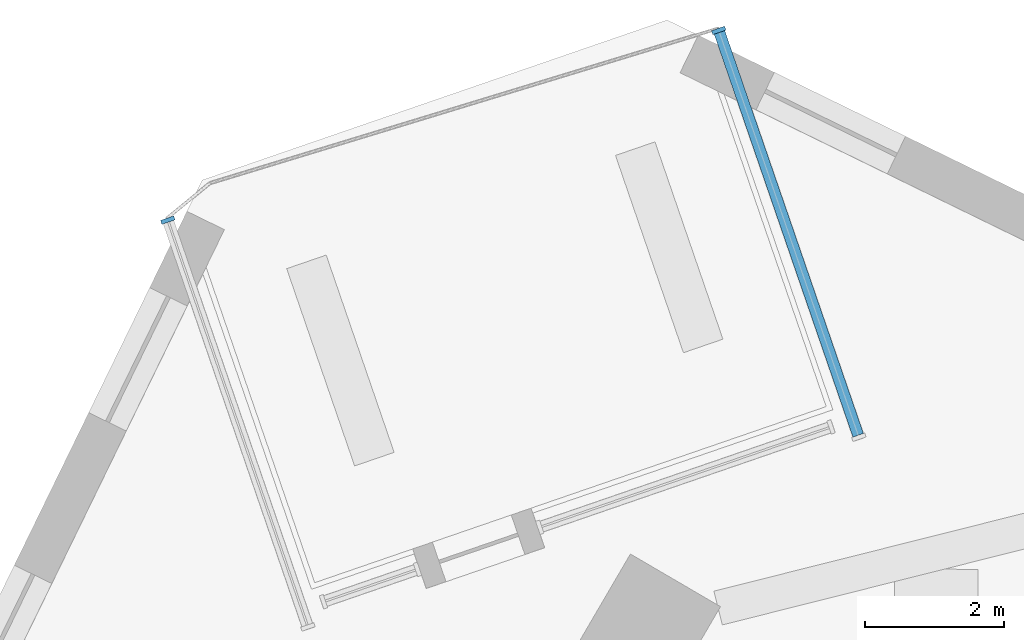
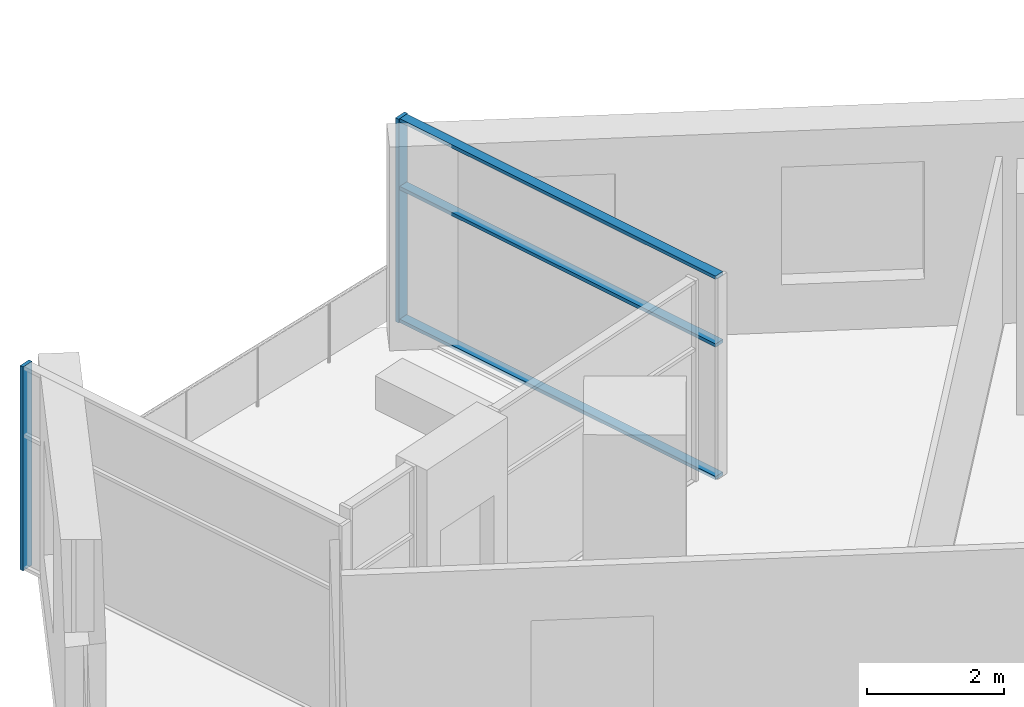
# One storey, part 4 of 13: 5 members, 2 elements without a shape of their own.
"""IFC4 building model written with IfcOpenShell, lengths in metres."""

from ifc_helpers import new_model, si_unit, direction, frame, origin, origin_2d, place, context, subcontext, project, spatial, rectangle, extrude, material, material_profile, profile_set, type_object, element, aggregate, save


model = new_model("IFC4")

# Units and contexts
model_context = context("Model", 3, precision=1e-05, world=origin(), true_north=direction((0.0, 1.0)))
body_context = subcontext(model_context, "Body", "Model", "MODEL_VIEW")
ifc_project = project(units=[si_unit("LENGTHUNIT", "METRE"), si_unit("AREAUNIT", "SQUARE_METRE"), si_unit("VOLUMEUNIT", "CUBIC_METRE"), si_unit("PLANEANGLEUNIT", "RADIAN"), si_unit("MASSUNIT", "GRAM", prefix="KILO")], contexts=[model_context])

# Site, building, storey
site_placement = place(None, origin())
site = spatial("IfcSite", under=ifc_project, at=site_placement, CompositionType="ELEMENT")
building_placement = place(site_placement, origin())
building = spatial("IfcBuilding", under=site, at=building_placement, Name="Dilmun Exchange Tower", CompositionType="ELEMENT")
storey_placement = place(building_placement, frame((0.0, 0.0, 286.89990234375)))
storey = spatial("IfcBuildingStorey", under=building, at=storey_placement, Name="L68", CompositionType="ELEMENT", Elevation=286.89990234375)

# Curtain wall, member
ifc_material_1 = material(Name="Anodised aluminium and clear glass", Category="aluminium")
curtain_wall_type = type_object("IfcCurtainWallType", Name="Garden corner glazing", PredefinedType="NOTDEFINED", material=ifc_material_1)
curtain_wall_1_placement = place(storey_placement, origin())
curtain_wall_1 = element("IfcCurtainWall", 1, at=curtain_wall_1_placement, inside=storey, type_object=curtain_wall_type, Name="Garden corner glazing run GC1.1", PredefinedType="NOTDEFINED")
ifc_material_2 = material(Name="Anodised aluminium", Category="aluminium")
ifc_material_profile_1 = material_profile(ifc_material_2, rectangle(XDim=0.199951171875, YDim=0.06005859375, at=origin_2d()), Name="AL 60x200")
ifc_profile_set_1 = profile_set([ifc_material_profile_1], Name="Anodised aluminium")
member_type_1 = type_object("IfcMemberType", Name="Garden corner glazing mullion 60 x 200", PredefinedType="MULLION", material=ifc_profile_set_1)
member_1_placement = place(storey_placement, frame((-2.91357421875, 35.011474609375, 0.0), z_axis=(0.0, 0.0, 1.0), x_axis=(0.945515289338, 0.325577698297, 0.0)))
member_1 = element("IfcMember", 2, at=member_1_placement, type_object=member_type_1, Name="GC1.1 mullion 1", PredefinedType="MULLION", context=body_context, shape_type="SweptSolid", body=[
    extrude(rectangle(XDim=0.199951171875, YDim=0.06005859375, at=origin_2d()), origin(), (0.0, 0.0, 1.0), 3.64013671875),
])

curtain_wall_2_placement = place(storey_placement, origin())
curtain_wall_2 = element("IfcCurtainWall", 3, at=curtain_wall_2_placement, inside=storey, type_object=curtain_wall_type, Name="Garden corner glazing run GC3.1", PredefinedType="NOTDEFINED")
member_2_placement = place(storey_placement, frame((-10.835205078125, 32.283935546875, 0.0), z_axis=(0.0, 0.0, 1.0), x_axis=(-0.945516986278, -0.325572770145, 0.0)))
member_2 = element("IfcMember", 4, at=member_2_placement, type_object=member_type_1, Name="GC3.1 mullion 2", PredefinedType="MULLION", context=body_context, shape_type="SweptSolid", body=[
    extrude(rectangle(XDim=0.199951171875, YDim=0.06005859375, at=origin_2d()), origin(), (0.0, 0.0, 1.0), 3.64013671875),
])
aggregate(curtain_wall_2, [member_2])

# Member
ifc_material_profile_2 = material_profile(ifc_material_2, rectangle(XDim=0.159912109375, YDim=0.06005859375, at=origin_2d()), Name="AL 60x160")
ifc_profile_set_2 = profile_set([ifc_material_profile_2], Name="Anodised aluminium")
member_type_2 = type_object("IfcMemberType", Name="Garden corner glazing transom 60 x 160", PredefinedType="USERDEFINED", material=ifc_profile_set_2)
member_3_placement = place(storey_placement, frame((-2.90380859375, 34.983154296875, 0.030029296875), z_axis=(0.325573096467, -0.945516873914, 0.0), x_axis=(0.945516873914, 0.325573096467, 0.0)))
member_3 = element("IfcMember", 5, at=member_3_placement, type_object=member_type_2, Name="GC1.1 transom 1.1", ObjectType="TRANSOM", PredefinedType="USERDEFINED", context=body_context, shape_type="SweptSolid", body=[
    extrude(rectangle(XDim=0.159912109375, YDim=0.06005859375, at=origin_2d()), origin(), (0.0, 0.0, 1.0), 6.12646484375),
])

member_4_placement = place(storey_placement, frame((-2.90380859375, 34.983154296875, 2.400146484375), z_axis=(0.325573096467, -0.945516873914, 0.0), x_axis=(0.945516873914, 0.325573096467, 0.0)))
member_4 = element("IfcMember", 6, at=member_4_placement, type_object=member_type_2, Name="GC1.1 transom 1.2", ObjectType="TRANSOM", PredefinedType="USERDEFINED", context=body_context, shape_type="SweptSolid", body=[
    extrude(rectangle(XDim=0.159912109375, YDim=0.06005859375, at=origin_2d()), origin(), (0.0, 0.0, 1.0), 6.12646484375),
])

member_5_placement = place(storey_placement, frame((-2.90380859375, 34.983154296875, 3.610107421875), z_axis=(0.325573096467, -0.945516873914, 0.0), x_axis=(0.945516873914, 0.325573096467, 0.0)))
member_5 = element("IfcMember", 7, at=member_5_placement, type_object=member_type_2, Name="GC1.1 transom 1.3", ObjectType="TRANSOM", PredefinedType="USERDEFINED", context=body_context, shape_type="SweptSolid", body=[
    extrude(rectangle(XDim=0.159912109375, YDim=0.06005859375, at=origin_2d()), origin(), (0.0, 0.0, 1.0), 6.12646484375),
])

aggregate(curtain_wall_1, [member_1, member_3, member_4, member_5])

save(model, "model.ifc")
